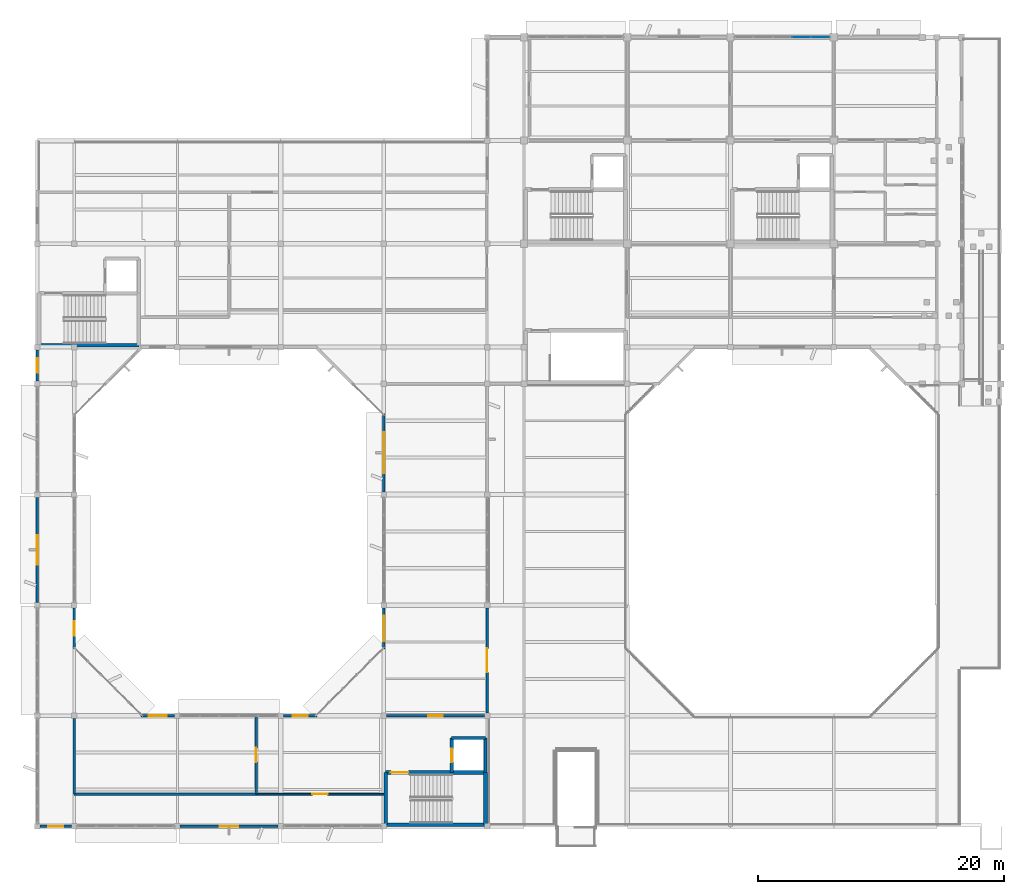
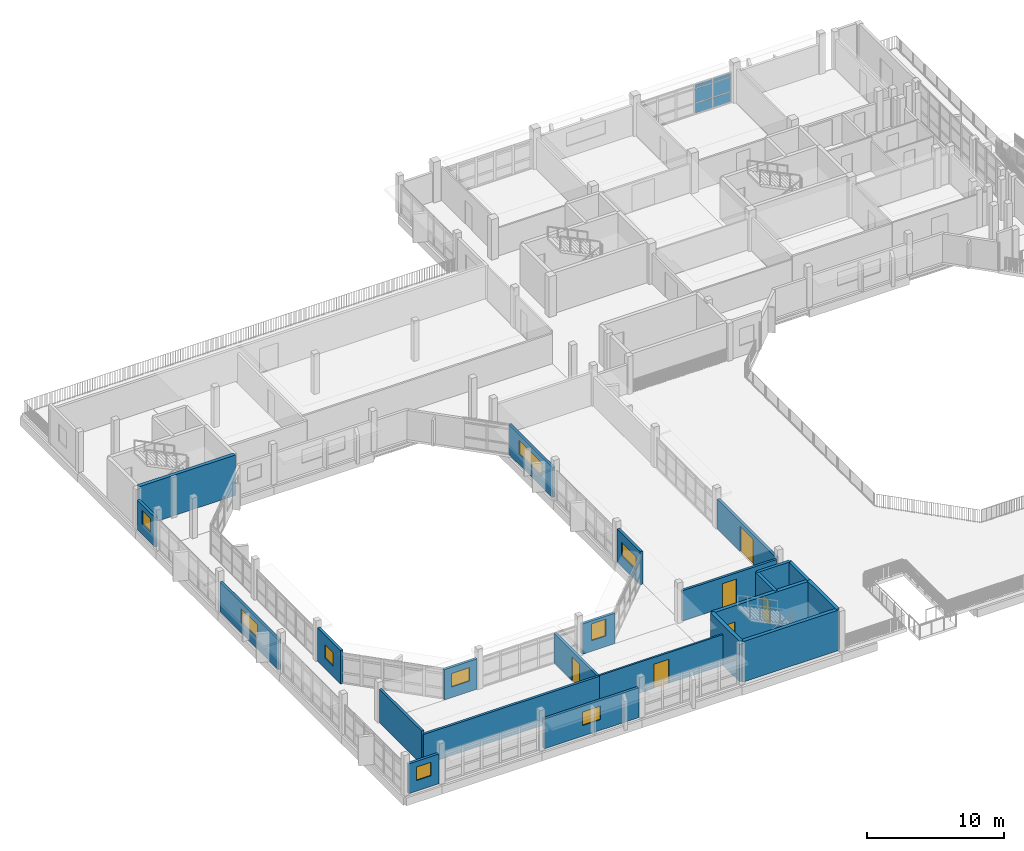
# One storey, part 21 of 42: 23 walls, 9 windows, 6 doors, 6 plates, 15 openings, 1 element without a shape of its own.
"""IFC4 building model written with IfcOpenShell, lengths in metres."""

from ifc_helpers import new_model, si_unit, direction, frame, frame_2d, origin, origin_2d, place, context, subcontext, project, spatial, rectangle, extrude, material, layer, layer_set, type_object, element, fill, aggregate, save


model = new_model("IFC4")

# Units and contexts
model_context = context("Model", 3, precision=1e-05, world=origin(), true_north=direction((0.0, 1.0)))
body_context = subcontext(model_context, "Body", "Model", "MODEL_VIEW")
ifc_project = project(units=[si_unit("LENGTHUNIT", "METRE"), si_unit("AREAUNIT", "SQUARE_METRE"), si_unit("VOLUMEUNIT", "CUBIC_METRE"), si_unit("PLANEANGLEUNIT", "RADIAN"), si_unit("MASSUNIT", "GRAM", prefix="KILO")], contexts=[model_context])

# Site, building, storey
site_placement = place(None, origin())
site = spatial("IfcSite", under=ifc_project, at=site_placement, CompositionType="ELEMENT")
building_placement = place(site_placement, origin())
building = spatial("IfcBuilding", under=site, at=building_placement, Name="Vanh Quang Courtyard School", CompositionType="ELEMENT")
storey_placement = place(building_placement, frame((0.0, 0.0, 15.0)))
storey = spatial("IfcBuildingStorey", under=building, at=storey_placement, Name="L04", CompositionType="ELEMENT", Elevation=15.0)

# Curtain wall, plates
ifc_material_1 = material(Name="Thermally broken aluminium unitised curtain wall", Category="aluminium")
curtain_wall_type = type_object("IfcCurtainWallType", Name="CW-SYS-24", PredefinedType="NOTDEFINED", material=ifc_material_1)
curtain_wall_placement = place(storey_placement, origin())
curtain_wall = element("IfcCurtainWall", 1, at=curtain_wall_placement, inside=storey, type_object=curtain_wall_type, Name="Curtain Wall CW-24 (L04)", PredefinedType="NOTDEFINED")
ifc_material_2 = material(Name="Low-E laminated double glazing", Category="glass")
ifc_layer_1 = layer(ifc_material_2, 0.031982421875)
ifc_layer_set_1 = layer_set([ifc_layer_1], Name="Low-E laminated double glazing")
plate_type = type_object("IfcPlateType", Name="CW-PNL-32", PredefinedType="CURTAIN_PANEL", material=ifc_layer_set_1)
plate_1_placement = place(storey_placement, frame((99.956787109375, 96.60009765625, 0.06005859375), z_axis=(0.0, 0.0, 1.0), x_axis=(1.0, 0.0, 0.0)))
plate_1 = element("IfcPlate", 2, at=plate_1_placement, type_object=plate_type, Name="CW-24 panel 4.1", PredefinedType="CURTAIN_PANEL", context=body_context, shape_type="SweptSolid", body=[
    extrude(rectangle(XDim=1.496826171875, YDim=0.031982421875, at=origin_2d()), origin(), (0.0, 0.0, 1.0), 0.860107421875),
])
plate_2_placement = place(storey_placement, frame((99.956787109375, 96.60009765625, 0.97998046875), z_axis=(0.0, 0.0, 1.0), x_axis=(1.0, 0.0, 0.0)))
plate_2 = element("IfcPlate", 3, at=plate_2_placement, type_object=plate_type, Name="CW-24 panel 4.2", PredefinedType="CURTAIN_PANEL", context=body_context, shape_type="SweptSolid", body=[
    extrude(rectangle(XDim=1.496826171875, YDim=0.031982421875, at=origin_2d()), origin(), (0.0, 0.0, 1.0), 1.239990234375),
])
plate_3_placement = place(storey_placement, frame((99.956787109375, 96.60009765625, 2.280029296875), z_axis=(0.0, 0.0, 1.0), x_axis=(1.0, 0.0, 0.0)))
plate_3 = element("IfcPlate", 4, at=plate_3_placement, type_object=plate_type, Name="CW-24 panel 4.3", PredefinedType="CURTAIN_PANEL", context=body_context, shape_type="SweptSolid", body=[
    extrude(rectangle(XDim=1.496826171875, YDim=0.031982421875, at=origin_2d()), origin(), (0.0, 0.0, 1.0), 0.31005859375),
])
plate_4_placement = place(storey_placement, frame((101.49853515625, 96.60009765625, 0.06005859375), z_axis=(0.0, 0.0, 1.0), x_axis=(1.0, 0.0, 0.0)))
plate_4 = element("IfcPlate", 5, at=plate_4_placement, type_object=plate_type, Name="CW-24 panel 5.1", PredefinedType="CURTAIN_PANEL", context=body_context, shape_type="SweptSolid", body=[
    extrude(rectangle(XDim=1.466796875, YDim=0.031982421875, at=origin_2d()), origin(), (0.0, 0.0, 1.0), 0.860107421875),
])
plate_5_placement = place(storey_placement, frame((101.49853515625, 96.60009765625, 0.97998046875), z_axis=(0.0, 0.0, 1.0), x_axis=(1.0, 0.0, 0.0)))
plate_5 = element("IfcPlate", 6, at=plate_5_placement, type_object=plate_type, Name="CW-24 panel 5.2", PredefinedType="CURTAIN_PANEL", context=body_context, shape_type="SweptSolid", body=[
    extrude(rectangle(XDim=1.466796875, YDim=0.031982421875, at=origin_2d()), origin(), (0.0, 0.0, 1.0), 1.239990234375),
])
plate_6_placement = place(storey_placement, frame((101.49853515625, 96.60009765625, 2.280029296875), z_axis=(0.0, 0.0, 1.0), x_axis=(1.0, 0.0, 0.0)))
plate_6 = element("IfcPlate", 7, at=plate_6_placement, type_object=plate_type, Name="CW-24 panel 5.3", PredefinedType="CURTAIN_PANEL", context=body_context, shape_type="SweptSolid", body=[
    extrude(rectangle(XDim=1.466796875, YDim=0.031982421875, at=origin_2d()), origin(), (0.0, 0.0, 1.0), 0.31005859375),
])
aggregate(curtain_wall, [plate_1, plate_2, plate_3, plate_4, plate_5, plate_6])

# Wall, opening, door
ifc_material_3 = material(Name="Concrete C30/37", Category="concrete")
ifc_layer_2 = layer(ifc_material_3, 0.199951171875)
ifc_layer_set_2 = layer_set([ifc_layer_2], Name="Concrete C30/37")
wall_type_1 = type_object("IfcWallType", Name="W-COMP-200", PredefinedType="PARTITIONING", material=ifc_layer_set_2)
wall_1_placement = place(storey_placement, frame((55.60009765625, 41.39990234375, 0.0), z_axis=(0.0, 0.0, 1.0), x_axis=(0.0, -1.0, 0.0)))
wall_1 = element("IfcWall", 8, at=wall_1_placement, inside=storey, type_object=wall_type_1, Name="Wall W-COMP1 (L04)", PredefinedType="PARTITIONING", context=body_context, shape_type="SweptSolid", body=[
    extrude(rectangle(XDim=6.3798828125, YDim=0.199951171875, at=frame_2d((3.18994140625, 0.0))), origin(), (0.0, 0.0, 1.0), 2.64990234375),
])
opening_1_placement = place(wall_1_placement, frame((2.614990234375, 0.0, 0.0)))
opening_1 = element("IfcOpeningElement", 9, at=opening_1_placement, cuts=wall_1, Name="Opening L04-D161", PredefinedType="OPENING", context=body_context, shape_type="SweptSolid", body=[
    extrude(rectangle(XDim=1.14990234375, YDim=2.14990234375, at=frame_2d((0.574951171875, 1.074951171875))), frame((0.0, 0.10986328125, 0.0), z_axis=(0.0, -1.0, 0.0), x_axis=(1.0, 0.0, 0.0)), (0.0, 0.0, 1.0), 0.219970703125),
])
ifc_material_4 = material(Name="Painted galvanised steel fire door", Category="steel")
door_type_1 = type_object("IfcDoorType", Name="IDR-LAB-1150x2150", OperationType="NOTDEFINED", PredefinedType="DOOR", material=ifc_material_4)
door_1_placement = place(opening_1_placement, origin())
door_1 = element("IfcDoor", 10, at=door_1_placement, inside=storey, type_object=door_type_1, Name="Door L04-D161 (L04)", OperationType="SINGLE_SWING_RIGHT", OverallHeight=2.14990234375, OverallWidth=1.14990234375, PredefinedType="DOOR", context=body_context, shape_type="SweptSolid", body=[
    extrude(rectangle(XDim=1.14990234375, YDim=2.14990234375, at=frame_2d((0.574951171875, 1.074951171875))), frame((0.0, 0.02490234375, 0.0), z_axis=(0.0, -1.0, 0.0), x_axis=(1.0, 0.0, 0.0)), (0.0, 0.0, 1.0), 0.050048828125),
])
fill(opening_1, door_1)

# Walls
wall_2_placement = place(storey_placement, frame((55.60009765625, 35.02001953125, 0.0), z_axis=(0.0, 0.0, 1.0), x_axis=(-1.0, 0.0, 0.0)))
element("IfcWall", 11, at=wall_2_placement, inside=storey, type_object=wall_type_1, Name="Wall W-COMP1 (L04)", PredefinedType="PARTITIONING", context=body_context, shape_type="SweptSolid", body=[
    extrude(rectangle(XDim=14.800048828125, YDim=0.199951171875, at=frame_2d((7.39990234375, 0.0))), origin(), (0.0, 0.0, 1.0), 2.699951171875),
])
wall_3_placement = place(storey_placement, frame((40.800048828125, 35.02001953125, 0.0), z_axis=(0.0, 0.0, 1.0), x_axis=(0.0, 1.0, 0.0)))
element("IfcWall", 12, at=wall_3_placement, inside=storey, type_object=wall_type_1, Name="Wall W-COMP1 (L04)", PredefinedType="PARTITIONING", context=body_context, shape_type="SweptSolid", body=[
    extrude(rectangle(XDim=6.156982421875, YDim=0.199951171875, at=frame_2d((3.07861328125, 0.0))), origin(), (0.0, 0.0, 1.0), 2.989990234375),
])

# Wall, opening, door
wall_4_placement = place(storey_placement, frame((74.1708984375, 41.39990234375, 0.0), z_axis=(0.0, 0.0, 1.0), x_axis=(-1.0, 0.0, 0.0)))
wall_4 = element("IfcWall", 13, at=wall_4_placement, inside=storey, type_object=wall_type_1, Name="Wall W-COMP1 (L04)", PredefinedType="PARTITIONING", context=body_context, shape_type="SweptSolid", body=[
    extrude(rectangle(XDim=7.947998046875, YDim=0.199951171875, at=frame_2d((3.97412109375, 0.0))), origin(), (0.0, 0.0, 1.0), 2.699951171875),
])
opening_2_placement = place(wall_4_placement, frame((3.373779296875, 0.0, 0.0)))
opening_2 = element("IfcOpeningElement", 14, at=opening_2_placement, cuts=wall_4, Name="Opening L04-D164", PredefinedType="OPENING", context=body_context, shape_type="SweptSolid", body=[
    extrude(rectangle(XDim=1.199951171875, YDim=2.14990234375, at=frame_2d((0.60009765625, 1.074951171875))), frame((0.0, 0.10986328125, 0.0), z_axis=(0.0, -1.0, 0.0), x_axis=(1.0, 0.0, 0.0)), (0.0, 0.0, 1.0), 0.219970703125),
])
door_type_2 = type_object("IfcDoorType", Name="IDR-FD-1200x2150", OperationType="NOTDEFINED", PredefinedType="DOOR", material=ifc_material_4)
door_2_placement = place(opening_2_placement, origin())
door_2 = element("IfcDoor", 15, at=door_2_placement, inside=storey, type_object=door_type_2, Name="Door L04-D164 (L04)", OperationType="SINGLE_SWING_LEFT", OverallHeight=2.14990234375, OverallWidth=1.199951171875, PredefinedType="DOOR", context=body_context, shape_type="SweptSolid", body=[
    extrude(rectangle(XDim=1.199951171875, YDim=2.14990234375, at=frame_2d((0.60009765625, 1.074951171875))), frame((0.0, 0.02490234375, 0.0), z_axis=(0.0, -1.0, 0.0), x_axis=(1.0, 0.0, 0.0)), (0.0, 0.0, 1.0), 0.050048828125),
])
fill(opening_2, door_2)

# Walls
ifc_material_5 = material(Name="Concrete C35/45", Category="concrete")
ifc_layer_3 = layer(ifc_material_5, 0.300048828125)
ifc_layer_set_3 = layer_set([ifc_layer_3], Name="Concrete C35/45")
wall_type_2 = type_object("IfcWallType", Name="W-CORE-300", PredefinedType="SHEAR", material=ifc_layer_set_3)
for number, where, z_axis, x_axis, name in (
    (16, (37.93994140625, 71.5400390625, 0.0), (0.0, 0.0, 1.0), (1.0, 0.0, 0.0), "Wall W-CORE1 (L04)"),
    (17, (66.139892578125, 32.5400390625, 0.0), (0.0, 0.0, 1.0), (1.0, 0.0, 0.0), "Wall W-CORE1 (L04)"),
):
    element("IfcWall", number, at=place(storey_placement, frame(where, z_axis=z_axis, x_axis=x_axis)), inside=storey, type_object=wall_type_2, Name=name, PredefinedType="SHEAR", context=body_context, shape_type="SweptSolid", body=[
        extrude(rectangle(XDim=8.1201171875, YDim=0.300048828125, at=frame_2d((4.06005859375, 0.0))), origin(), (0.0, 0.0, 1.0), 3.60009765625),
    ])
wall_5_placement = place(storey_placement, frame((74.260009765625, 32.5400390625, 0.0), z_axis=(0.0, 0.0, 1.0), x_axis=(0.0, 1.0, 0.0)))
element("IfcWall", 18, at=wall_5_placement, inside=storey, type_object=wall_type_2, Name="Wall W-CORE1 (L04)", PredefinedType="SHEAR", context=body_context, shape_type="SweptSolid", body=[
    extrude(rectangle(XDim=4.239990234375, YDim=0.300048828125, at=frame_2d((2.1201171875, 0.0))), origin(), (0.0, 0.0, 1.0), 3.60009765625),
])

# Wall, opening, door
wall_6_placement = place(storey_placement, frame((74.260009765625, 36.780029296875, 0.0), z_axis=(0.0, 0.0, 1.0), x_axis=(-1.0, 0.0, 0.0)))
wall_6 = element("IfcWall", 19, at=wall_6_placement, inside=storey, type_object=wall_type_2, Name="Wall W-CORE1 (L04)", PredefinedType="SHEAR", context=body_context, shape_type="SweptSolid", body=[
    extrude(rectangle(XDim=8.1201171875, YDim=0.300048828125, at=frame_2d((4.06005859375, 0.0))), origin(), (0.0, 0.0, 1.0), 3.60009765625),
])
opening_3_placement = place(wall_6_placement, frame((6.27001953125, 0.0, 0.0)))
opening_3 = element("IfcOpeningElement", 20, at=opening_3_placement, cuts=wall_6, Name="Opening L04-DS4", PredefinedType="OPENING", context=body_context, shape_type="SweptSolid", body=[
    extrude(rectangle(XDim=1.419921875, YDim=2.14990234375, at=frame_2d((0.7099609375, 1.074951171875))), frame((0.0, 0.16015625, 0.0), z_axis=(0.0, -1.0, 0.0), x_axis=(1.0, 0.0, 0.0)), (0.0, 0.0, 1.0), 0.320068359375),
])
door_type_3 = type_object("IfcDoorType", Name="IDR-ST-1420x2150", OperationType="NOTDEFINED", PredefinedType="DOOR", material=ifc_material_4)
door_3_placement = place(opening_3_placement, frame((1.419921875, 0.0, 0.0), z_axis=(0.0, 0.0, 1.0), x_axis=(-1.0, 0.0, 0.0)))
door_3 = element("IfcDoor", 21, at=door_3_placement, inside=storey, type_object=door_type_3, Name="Door L04-DS4 (L04)", OperationType="SINGLE_SWING_RIGHT", OverallHeight=2.14990234375, OverallWidth=1.419921875, PredefinedType="DOOR", context=body_context, shape_type="SweptSolid", body=[
    extrude(rectangle(XDim=1.419921875, YDim=2.14990234375, at=frame_2d((0.7099609375, 1.074951171875))), frame((0.0, 0.02490234375, 0.0), z_axis=(0.0, -1.0, 0.0), x_axis=(1.0, 0.0, 0.0)), (0.0, 0.0, 1.0), 0.050048828125),
])
fill(opening_3, door_3)

# Wall
wall_7_placement = place(storey_placement, frame((66.139892578125, 36.780029296875, 0.0), z_axis=(0.0, 0.0, 1.0), x_axis=(0.0, -1.0, 0.0)))
element("IfcWall", 22, at=wall_7_placement, inside=storey, type_object=wall_type_2, Name="Wall W-CORE1 (L04)", PredefinedType="SHEAR", context=body_context, shape_type="SweptSolid", body=[
    extrude(rectangle(XDim=4.239990234375, YDim=0.300048828125, at=frame_2d((2.1201171875, 0.0))), origin(), (0.0, 0.0, 1.0), 3.60009765625),
])

# Wall, opening, window
ifc_layer_4 = layer(ifc_material_3, 0.219970703125)
ifc_layer_set_4 = layer_set([ifc_layer_4], Name="Concrete C30/37")
wall_type_3 = type_object("IfcWallType", Name="W-EXT-220", PredefinedType="SOLIDWALL", material=ifc_layer_set_4)
wall_8_placement = place(storey_placement, frame((37.800048828125, 50.623046875, 0.0), z_axis=(0.0, 0.0, 1.0), x_axis=(0.0, 1.0, 0.0)))
wall_8 = element("IfcWall", 23, at=wall_8_placement, inside=storey, type_object=wall_type_3, Name="Wall WE-04 (L04)", PredefinedType="SOLIDWALL", context=body_context, shape_type="SweptSolid", body=[
    extrude(rectangle(XDim=8.553955078125, YDim=0.219970703125, at=frame_2d((4.27685546875, 0.0))), origin(), (0.0, 0.0, 1.0), 2.64990234375),
])
opening_4_placement = place(wall_8_placement, frame((3.076904296875, 0.0, 0.949951171875)))
opening_4 = element("IfcOpeningElement", 24, at=opening_4_placement, cuts=wall_8, Name="Opening WN-05", PredefinedType="OPENING", context=body_context, shape_type="SweptSolid", body=[
    extrude(rectangle(XDim=2.39990234375, YDim=1.199951171875, at=frame_2d((1.199951171875, 0.60009765625))), frame((0.0, 0.1201171875, 0.0), z_axis=(0.0, -1.0, 0.0), x_axis=(1.0, 0.0, 0.0)), (0.0, 0.0, 1.0), 0.239990234375),
])
ifc_material_6 = material(Name="Anodised aluminium and low-E double glazing", Category="aluminium")
window_type_1 = type_object("IfcWindowType", Name="WIN-TYP-05", PartitioningType="SINGLE_PANEL", PredefinedType="WINDOW", material=ifc_material_6)
window_1_placement = place(opening_4_placement, origin())
window_1 = element("IfcWindow", 25, at=window_1_placement, inside=storey, type_object=window_type_1, Name="Window WN-05 (L04)", OverallHeight=1.199951171875, OverallWidth=2.39990234375, PartitioningType="SINGLE_PANEL", PredefinedType="WINDOW", context=body_context, shape_type="SweptSolid", body=[
    extrude(rectangle(XDim=2.39990234375, YDim=1.199951171875, at=frame_2d((1.199951171875, 0.60009765625))), frame((0.0, 0.030029296875, 0.0), z_axis=(0.0, -1.0, 0.0), x_axis=(1.0, 0.0, 0.0)), (0.0, 0.0, 1.0), 0.06005859375),
])
fill(opening_4, window_1)

wall_9_placement = place(storey_placement, frame((37.800048828125, 68.623046875, 0.0), z_axis=(0.0, 0.0, 1.0), x_axis=(0.0, 1.0, 0.0)))
wall_9 = element("IfcWall", 26, at=wall_9_placement, inside=storey, type_object=wall_type_3, Name="Wall WE-04 (L04)", PredefinedType="SOLIDWALL", context=body_context, shape_type="SweptSolid", body=[
    extrude(rectangle(XDim=2.553955078125, YDim=0.219970703125, at=frame_2d((1.27685546875, 0.0))), origin(), (0.0, 0.0, 1.0), 2.64990234375),
])
opening_5_placement = place(wall_9_placement, frame((0.677001953125, 0.0, 0.949951171875)))
opening_5 = element("IfcOpeningElement", 27, at=opening_5_placement, cuts=wall_9, Name="Opening WN-01", PredefinedType="OPENING", context=body_context, shape_type="SweptSolid", body=[
    extrude(rectangle(XDim=1.199951171875, YDim=1.199951171875, at=frame_2d((0.60009765625, 0.60009765625))), frame((0.0, 0.1201171875, 0.0), z_axis=(0.0, -1.0, 0.0), x_axis=(1.0, 0.0, 0.0)), (0.0, 0.0, 1.0), 0.239990234375),
])
window_type_2 = type_object("IfcWindowType", Name="WIN-TYP-01", PartitioningType="SINGLE_PANEL", PredefinedType="WINDOW", material=ifc_material_6)
window_2_placement = place(opening_5_placement, origin())
window_2 = element("IfcWindow", 28, at=window_2_placement, inside=storey, type_object=window_type_2, Name="Window WN-01 (L04)", OverallHeight=1.199951171875, OverallWidth=1.199951171875, PartitioningType="SINGLE_PANEL", PredefinedType="WINDOW", context=body_context, shape_type="SweptSolid", body=[
    extrude(rectangle(XDim=1.199951171875, YDim=1.199951171875, at=frame_2d((0.60009765625, 0.60009765625))), frame((0.0, 0.030029296875, 0.0), z_axis=(0.0, -1.0, 0.0), x_axis=(1.0, 0.0, 0.0)), (0.0, 0.0, 1.0), 0.06005859375),
])
fill(opening_5, window_2)

# Wall, opening, door
wall_10_placement = place(storey_placement, frame((74.39990234375, 50.177001953125, 0.0), z_axis=(0.0, 0.0, 1.0), x_axis=(0.0, -1.0, 0.0)))
wall_10 = element("IfcWall", 29, at=wall_10_placement, inside=storey, type_object=wall_type_3, Name="Wall WE-04 (L04)", PredefinedType="SOLIDWALL", context=body_context, shape_type="SweptSolid", body=[
    extrude(rectangle(XDim=8.553955078125, YDim=0.219970703125, at=frame_2d((4.27685546875, 0.0))), origin(), (0.0, 0.0, 1.0), 2.64990234375),
])
opening_6_placement = place(wall_10_placement, frame((3.302001953125, 0.0, 0.0)))
opening_6 = element("IfcOpeningElement", 30, at=opening_6_placement, cuts=wall_10, Name="Opening L04-PD058", PredefinedType="OPENING", context=body_context, shape_type="SweptSolid", body=[
    extrude(rectangle(XDim=1.949951171875, YDim=2.25, at=frame_2d((0.97509765625, 1.125))), frame((0.0, 0.1201171875, 0.0), z_axis=(0.0, -1.0, 0.0), x_axis=(1.0, 0.0, 0.0)), (0.0, 0.0, 1.0), 0.239990234375),
])
ifc_material_7 = material(Name="Thermally broken aluminium and laminated safety glass", Category="aluminium")
door_type_4 = type_object("IfcDoorType", Name="EDR-TYP-09", OperationType="NOTDEFINED", PredefinedType="DOOR", material=ifc_material_7)
door_4_placement = place(opening_6_placement, origin())
door_4 = element("IfcDoor", 31, at=door_4_placement, inside=storey, type_object=door_type_4, Name="Door L04-PD058 (L04)", OperationType="SINGLE_SWING_LEFT", OverallHeight=2.25, OverallWidth=1.949951171875, PredefinedType="DOOR", context=body_context, shape_type="SweptSolid", body=[
    extrude(rectangle(XDim=1.949951171875, YDim=2.25, at=frame_2d((0.97509765625, 1.125))), frame((0.0, 0.02490234375, 0.0), z_axis=(0.0, -1.0, 0.0), x_axis=(1.0, 0.0, 0.0)), (0.0, 0.0, 1.0), 0.050048828125),
])
fill(opening_6, door_4)

# Wall, opening, window
wall_11_placement = place(storey_placement, frame((57.376953125, 32.39990234375, 0.0), z_axis=(0.0, 0.0, 1.0), x_axis=(-1.0, 0.0, 0.0)))
wall_11 = element("IfcWall", 32, at=wall_11_placement, inside=storey, type_object=wall_type_3, Name="Wall WE-04 (L04)", PredefinedType="SOLIDWALL", context=body_context, shape_type="SweptSolid", body=[
    extrude(rectangle(XDim=7.953857421875, YDim=0.219970703125, at=frame_2d((3.97705078125, 0.0))), origin(), (0.0, 0.0, 1.0), 2.64990234375),
])
opening_7_placement = place(wall_11_placement, frame((3.22705078125, 0.0, 0.949951171875)))
opening_7 = element("IfcOpeningElement", 33, at=opening_7_placement, cuts=wall_11, Name="Opening WN-02", PredefinedType="OPENING", context=body_context, shape_type="SweptSolid", body=[
    extrude(rectangle(XDim=1.5, YDim=1.199951171875, at=frame_2d((0.75, 0.60009765625))), frame((0.0, 0.1201171875, 0.0), z_axis=(0.0, -1.0, 0.0), x_axis=(1.0, 0.0, 0.0)), (0.0, 0.0, 1.0), 0.239990234375),
])
window_type_3 = type_object("IfcWindowType", Name="WIN-TYP-02", PartitioningType="SINGLE_PANEL", PredefinedType="WINDOW", material=ifc_material_6)
window_3_placement = place(opening_7_placement, origin())
window_3 = element("IfcWindow", 34, at=window_3_placement, inside=storey, type_object=window_type_3, Name="Window WN-02 (L04)", OverallHeight=1.199951171875, OverallWidth=1.5, PartitioningType="SINGLE_PANEL", PredefinedType="WINDOW", context=body_context, shape_type="SweptSolid", body=[
    extrude(rectangle(XDim=1.5, YDim=1.199951171875, at=frame_2d((0.75, 0.60009765625))), frame((0.0, 0.030029296875, 0.0), z_axis=(0.0, -1.0, 0.0), x_axis=(1.0, 0.0, 0.0)), (0.0, 0.0, 1.0), 0.06005859375),
])
fill(opening_7, window_3)

wall_12_placement = place(storey_placement, frame((40.576904296875, 32.39990234375, 0.0), z_axis=(0.0, 0.0, 1.0), x_axis=(-1.0, 0.0, 0.0)))
wall_12 = element("IfcWall", 35, at=wall_12_placement, inside=storey, type_object=wall_type_3, Name="Wall WE-04 (L04)", PredefinedType="SOLIDWALL", context=body_context, shape_type="SweptSolid", body=[
    extrude(rectangle(XDim=2.553955078125, YDim=0.219970703125, at=frame_2d((1.27685546875, 0.0))), origin(), (0.0, 0.0, 1.0), 2.64990234375),
])
opening_8_placement = place(wall_12_placement, frame((0.677001953125, 0.0, 0.949951171875)))
opening_8 = element("IfcOpeningElement", 36, at=opening_8_placement, cuts=wall_12, Name="Opening WN-01", PredefinedType="OPENING", context=body_context, shape_type="SweptSolid", body=[
    extrude(rectangle(XDim=1.199951171875, YDim=1.199951171875, at=frame_2d((0.60009765625, 0.60009765625))), frame((0.0, 0.1201171875, 0.0), z_axis=(0.0, -1.0, 0.0), x_axis=(1.0, 0.0, 0.0)), (0.0, 0.0, 1.0), 0.239990234375),
])
window_4_placement = place(opening_8_placement, origin())
window_4 = element("IfcWindow", 37, at=window_4_placement, inside=storey, type_object=window_type_2, Name="Window WN-01 (L04)", OverallHeight=1.199951171875, OverallWidth=1.199951171875, PartitioningType="SINGLE_PANEL", PredefinedType="WINDOW", context=body_context, shape_type="SweptSolid", body=[
    extrude(rectangle(XDim=1.199951171875, YDim=1.199951171875, at=frame_2d((0.60009765625, 0.60009765625))), frame((0.0, 0.030029296875, 0.0), z_axis=(0.0, -1.0, 0.0), x_axis=(1.0, 0.0, 0.0)), (0.0, 0.0, 1.0), 0.06005859375),
])
fill(opening_8, window_4)

wall_13_placement = place(storey_placement, frame((40.800048828125, 50.177001953125, 0.0), z_axis=(0.0, 0.0, 1.0), x_axis=(0.0, -1.0, 0.0)))
wall_13 = element("IfcWall", 38, at=wall_13_placement, inside=storey, type_object=wall_type_3, Name="Wall WE-04 (L04)", PredefinedType="SOLIDWALL", context=body_context, shape_type="SweptSolid", body=[
    extrude(rectangle(XDim=3.35302734375, YDim=0.219970703125, at=frame_2d((1.676513671875, 0.0))), origin(), (0.0, 0.0, 1.0), 2.989990234375),
])
opening_9_placement = place(wall_13_placement, frame((1.076416015625, 0.0, 0.949951171875)))
opening_9 = element("IfcOpeningElement", 39, at=opening_9_placement, cuts=wall_13, Name="Opening WN-01", PredefinedType="OPENING", context=body_context, shape_type="SweptSolid", body=[
    extrude(rectangle(XDim=1.199951171875, YDim=1.199951171875, at=frame_2d((0.60009765625, 0.60009765625))), frame((0.0, 0.1201171875, 0.0), z_axis=(0.0, -1.0, 0.0), x_axis=(1.0, 0.0, 0.0)), (0.0, 0.0, 1.0), 0.239990234375),
])
window_5_placement = place(opening_9_placement, origin())
window_5 = element("IfcWindow", 40, at=window_5_placement, inside=storey, type_object=window_type_2, Name="Window WN-01 (L04)", OverallHeight=1.199951171875, OverallWidth=1.199951171875, PartitioningType="SINGLE_PANEL", PredefinedType="WINDOW", context=body_context, shape_type="SweptSolid", body=[
    extrude(rectangle(XDim=1.199951171875, YDim=1.199951171875, at=frame_2d((0.60009765625, 0.60009765625))), frame((0.0, 0.030029296875, 0.0), z_axis=(0.0, -1.0, 0.0), x_axis=(1.0, 0.0, 0.0)), (0.0, 0.0, 1.0), 0.06005859375),
])
fill(opening_9, window_5)

wall_14_placement = place(storey_placement, frame((46.22412109375, 41.39990234375, 0.0), z_axis=(0.0, 0.0, 1.0), x_axis=(1.0, 0.0, 0.0)))
wall_14 = element("IfcWall", 41, at=wall_14_placement, inside=storey, type_object=wall_type_3, Name="Wall WE-04 (L04)", PredefinedType="SOLIDWALL", context=body_context, shape_type="SweptSolid", body=[
    extrude(rectangle(XDim=2.7529296875, YDim=0.219970703125, at=frame_2d((1.37646484375, 0.0))), origin(), (0.0, 0.0, 1.0), 2.699951171875),
])
opening_10_placement = place(wall_14_placement, frame((0.62646484375, 0.0, 0.949951171875)))
opening_10 = element("IfcOpeningElement", 42, at=opening_10_placement, cuts=wall_14, Name="Opening WN-02", PredefinedType="OPENING", context=body_context, shape_type="SweptSolid", body=[
    extrude(rectangle(XDim=1.5, YDim=1.199951171875, at=frame_2d((0.75, 0.60009765625))), frame((0.0, 0.1201171875, 0.0), z_axis=(0.0, -1.0, 0.0), x_axis=(1.0, 0.0, 0.0)), (0.0, 0.0, 1.0), 0.239990234375),
])
window_6_placement = place(opening_10_placement, origin())
window_6 = element("IfcWindow", 43, at=window_6_placement, inside=storey, type_object=window_type_3, Name="Window WN-02 (L04)", OverallHeight=1.199951171875, OverallWidth=1.5, PartitioningType="SINGLE_PANEL", PredefinedType="WINDOW", context=body_context, shape_type="SweptSolid", body=[
    extrude(rectangle(XDim=1.5, YDim=1.199951171875, at=frame_2d((0.75, 0.60009765625))), frame((0.0, 0.030029296875, 0.0), z_axis=(0.0, -1.0, 0.0), x_axis=(1.0, 0.0, 0.0)), (0.0, 0.0, 1.0), 0.06005859375),
])
fill(opening_10, window_6)

wall_15_placement = place(storey_placement, frame((57.822998046875, 41.39990234375, 0.0), z_axis=(0.0, 0.0, 1.0), x_axis=(1.0, 0.0, 0.0)))
wall_15 = element("IfcWall", 44, at=wall_15_placement, inside=storey, type_object=wall_type_3, Name="Wall WE-04 (L04)", PredefinedType="SOLIDWALL", context=body_context, shape_type="SweptSolid", body=[
    extrude(rectangle(XDim=2.7529296875, YDim=0.219970703125, at=frame_2d((1.37646484375, 0.0))), origin(), (0.0, 0.0, 1.0), 2.699951171875),
])
opening_11_placement = place(wall_15_placement, frame((0.776611328125, 0.0, 0.949951171875)))
opening_11 = element("IfcOpeningElement", 45, at=opening_11_placement, cuts=wall_15, Name="Opening WN-10", PredefinedType="OPENING", context=body_context, shape_type="SweptSolid", body=[
    extrude(rectangle(XDim=1.199951171875, YDim=1.5, at=frame_2d((0.60009765625, 0.75))), frame((0.0, 0.1201171875, 0.0), z_axis=(0.0, -1.0, 0.0), x_axis=(1.0, 0.0, 0.0)), (0.0, 0.0, 1.0), 0.239990234375),
])
window_type_4 = type_object("IfcWindowType", Name="WIN-TYP-10", PartitioningType="SINGLE_PANEL", PredefinedType="WINDOW", material=ifc_material_6)
window_7_placement = place(opening_11_placement, origin())
window_7 = element("IfcWindow", 46, at=window_7_placement, inside=storey, type_object=window_type_4, Name="Window WN-10 (L04)", OverallHeight=1.5, OverallWidth=1.199951171875, PartitioningType="SINGLE_PANEL", PredefinedType="WINDOW", context=body_context, shape_type="SweptSolid", body=[
    extrude(rectangle(XDim=1.199951171875, YDim=1.5, at=frame_2d((0.60009765625, 0.75))), frame((0.0, 0.030029296875, 0.0), z_axis=(0.0, -1.0, 0.0), x_axis=(1.0, 0.0, 0.0)), (0.0, 0.0, 1.0), 0.06005859375),
])
fill(opening_11, window_7)

wall_16_placement = place(storey_placement, frame((66.0, 46.823974609375, 0.0), z_axis=(0.0, 0.0, 1.0), x_axis=(0.0, 1.0, 0.0)))
wall_16 = element("IfcWall", 47, at=wall_16_placement, inside=storey, type_object=wall_type_3, Name="Wall WE-04 (L04)", PredefinedType="SOLIDWALL", context=body_context, shape_type="SweptSolid", body=[
    extrude(rectangle(XDim=3.35302734375, YDim=0.219970703125, at=frame_2d((1.676513671875, 0.0))), origin(), (0.0, 0.0, 1.0), 2.949951171875),
])
opening_12_placement = place(wall_16_placement, frame((0.62646484375, 0.0, 0.949951171875)))
opening_12 = element("IfcOpeningElement", 48, at=opening_12_placement, cuts=wall_16, Name="Opening WN-04", PredefinedType="OPENING", context=body_context, shape_type="SweptSolid", body=[
    extrude(rectangle(XDim=2.10009765625, YDim=1.199951171875, at=frame_2d((1.050048828125, 0.60009765625))), frame((0.0, 0.1201171875, 0.0), z_axis=(0.0, -1.0, 0.0), x_axis=(1.0, 0.0, 0.0)), (0.0, 0.0, 1.0), 0.239990234375),
])
window_type_5 = type_object("IfcWindowType", Name="WIN-TYP-04", PartitioningType="SINGLE_PANEL", PredefinedType="WINDOW", material=ifc_material_6)
window_8_placement = place(opening_12_placement, origin())
window_8 = element("IfcWindow", 49, at=window_8_placement, inside=storey, type_object=window_type_5, Name="Window WN-04 (L04)", OverallHeight=1.199951171875, OverallWidth=2.10009765625, PartitioningType="SINGLE_PANEL", PredefinedType="WINDOW", context=body_context, shape_type="SweptSolid", body=[
    extrude(rectangle(XDim=2.10009765625, YDim=1.199951171875, at=frame_2d((1.050048828125, 0.60009765625))), frame((0.0, 0.030029296875, 0.0), z_axis=(0.0, -1.0, 0.0), x_axis=(1.0, 0.0, 0.0)), (0.0, 0.0, 1.0), 0.06005859375),
])
fill(opening_12, window_8)

wall_17_placement = place(storey_placement, frame((66.0, 59.623046875, 0.0), z_axis=(0.0, 0.0, 1.0), x_axis=(0.0, 1.0, 0.0)))
wall_17 = element("IfcWall", 50, at=wall_17_placement, inside=storey, type_object=wall_type_3, Name="Wall WE-04 (L04)", PredefinedType="SOLIDWALL", context=body_context, shape_type="SweptSolid", body=[
    extrude(rectangle(XDim=6.35302734375, YDim=0.219970703125, at=frame_2d((3.176513671875, 0.0))), origin(), (0.0, 0.0, 1.0), 2.64990234375),
])
opening_13_placement = place(wall_17_placement, frame((1.526611328125, 0.0, 0.949951171875)))
opening_13 = element("IfcOpeningElement", 51, at=opening_13_placement, cuts=wall_17, Name="Opening WN-08", PredefinedType="OPENING", context=body_context, shape_type="SweptSolid", body=[
    extrude(rectangle(XDim=3.300048828125, YDim=1.199951171875, at=frame_2d((1.64990234375, 0.60009765625))), frame((0.0, 0.1201171875, 0.0), z_axis=(0.0, -1.0, 0.0), x_axis=(1.0, 0.0, 0.0)), (0.0, 0.0, 1.0), 0.239990234375),
])
window_type_6 = type_object("IfcWindowType", Name="WIN-TYP-08", PartitioningType="SINGLE_PANEL", PredefinedType="WINDOW", material=ifc_material_6)
window_9_placement = place(opening_13_placement, origin())
window_9 = element("IfcWindow", 52, at=window_9_placement, inside=storey, type_object=window_type_6, Name="Window WN-08 (L04)", OverallHeight=1.199951171875, OverallWidth=3.300048828125, PartitioningType="SINGLE_PANEL", PredefinedType="WINDOW", context=body_context, shape_type="SweptSolid", body=[
    extrude(rectangle(XDim=3.300048828125, YDim=1.199951171875, at=frame_2d((1.64990234375, 0.60009765625))), frame((0.0, 0.030029296875, 0.0), z_axis=(0.0, -1.0, 0.0), x_axis=(1.0, 0.0, 0.0)), (0.0, 0.0, 1.0), 0.06005859375),
])
fill(opening_13, window_9)

# Wall, opening, door
ifc_material_8 = material(Name="Autoclaved aerated masonry blockwork", Category="masonry")
ifc_layer_5 = layer(ifc_material_8, 0.14990234375)
ifc_layer_set_5 = layer_set([ifc_layer_5], Name="Autoclaved aerated masonry blockwork")
wall_type_4 = type_object("IfcWallType", Name="W-PART-150", PredefinedType="PARTITIONING", material=ifc_layer_set_5)
wall_18_placement = place(storey_placement, frame((66.0, 35.02001953125, 0.0), z_axis=(0.0, 0.0, 1.0), x_axis=(-1.0, 0.0, 0.0)))
wall_18 = element("IfcWall", 53, at=wall_18_placement, inside=storey, type_object=wall_type_4, Name="Wall W-PRT1 (L04)", PredefinedType="PARTITIONING", context=body_context, shape_type="SweptSolid", body=[
    extrude(rectangle(XDim=10.3798828125, YDim=0.14990234375, at=frame_2d((5.18994140625, 0.0))), origin(), (0.0, 0.0, 1.0), 2.75),
])
opening_14_placement = place(wall_18_placement, frame((4.56494140625, 0.0, 0.0)))
opening_14 = element("IfcOpeningElement", 54, at=opening_14_placement, cuts=wall_18, Name="Opening L04-D162", PredefinedType="OPENING", context=body_context, shape_type="SweptSolid", body=[
    extrude(rectangle(XDim=1.25, YDim=2.14990234375, at=frame_2d((0.625, 1.074951171875))), frame((0.0, 0.0849609375, 0.0), z_axis=(0.0, -1.0, 0.0), x_axis=(1.0, 0.0, 0.0)), (0.0, 0.0, 1.0), 0.169921875),
])
door_type_5 = type_object("IfcDoorType", Name="IDR-LAB-1250x2150", OperationType="NOTDEFINED", PredefinedType="DOOR", material=ifc_material_4)
door_5_placement = place(opening_14_placement, origin())
door_5 = element("IfcDoor", 55, at=door_5_placement, inside=storey, type_object=door_type_5, Name="Door L04-D162 (L04)", OperationType="SINGLE_SWING_LEFT", OverallHeight=2.14990234375, OverallWidth=1.25, PredefinedType="DOOR", context=body_context, shape_type="SweptSolid", body=[
    extrude(rectangle(XDim=1.25, YDim=2.14990234375, at=frame_2d((0.625, 1.074951171875))), frame((0.0, 0.02490234375, 0.0), z_axis=(0.0, -1.0, 0.0), x_axis=(1.0, 0.0, 0.0)), (0.0, 0.0, 1.0), 0.050048828125),
])
fill(opening_14, door_5)

ifc_layer_6 = layer(ifc_material_5, 0.25)
ifc_layer_set_6 = layer_set([ifc_layer_6], Name="Concrete C35/45")
wall_type_5 = type_object("IfcWallType", Name="W-SHFT-250", PredefinedType="SHEAR", material=ifc_layer_set_6)
wall_19_placement = place(storey_placement, frame((71.52001953125, 39.580078125, 0.0), z_axis=(0.0, 0.0, 1.0), x_axis=(0.0, -1.0, 0.0)))
wall_19 = element("IfcWall", 56, at=wall_19_placement, inside=storey, type_object=wall_type_5, Name="Wall W-SHFT1 (L04)", PredefinedType="SHEAR", context=body_context, shape_type="SweptSolid", body=[
    extrude(rectangle(XDim=2.800048828125, YDim=0.25, at=frame_2d((1.39990234375, 0.0))), origin(), (0.0, 0.0, 1.0), 3.60009765625),
])
opening_15_placement = place(wall_19_placement, frame((0.85009765625, 0.0, 0.0)))
opening_15 = element("IfcOpeningElement", 57, at=opening_15_placement, cuts=wall_19, Name="Opening LD-04-L04", PredefinedType="OPENING", context=body_context, shape_type="SweptSolid", body=[
    extrude(rectangle(XDim=1.10009765625, YDim=2.14990234375, at=frame_2d((0.550048828125, 1.074951171875))), frame((0.0, 0.135009765625, 0.0), z_axis=(0.0, -1.0, 0.0), x_axis=(1.0, 0.0, 0.0)), (0.0, 0.0, 1.0), 0.27001953125),
])
door_type_6 = type_object("IfcDoorType", Name="IDR-LD-1100x2150", OperationType="NOTDEFINED", PredefinedType="DOOR", material=ifc_material_4)
door_6_placement = place(opening_15_placement, origin())
door_6 = element("IfcDoor", 58, at=door_6_placement, inside=storey, type_object=door_type_6, Name="Door LD-04-L04 (L04)", OperationType="DOUBLE_DOOR_SLIDING", OverallHeight=2.14990234375, OverallWidth=1.10009765625, PredefinedType="DOOR", context=body_context, shape_type="SweptSolid", body=[
    extrude(rectangle(XDim=1.10009765625, YDim=2.14990234375, at=frame_2d((0.550048828125, 1.074951171875))), frame((0.0, 0.02490234375, 0.0), z_axis=(0.0, -1.0, 0.0), x_axis=(1.0, 0.0, 0.0)), (0.0, 0.0, 1.0), 0.050048828125),
])
fill(opening_15, door_6)

# Walls
wall_20_placement = place(storey_placement, frame((74.260009765625, 39.580078125, 0.0), z_axis=(0.0, 0.0, 1.0), x_axis=(-1.0, 0.0, 0.0)))
element("IfcWall", 59, at=wall_20_placement, inside=storey, type_object=wall_type_5, Name="Wall W-SHFT1 (L04)", PredefinedType="SHEAR", context=body_context, shape_type="SweptSolid", body=[
    extrude(rectangle(XDim=2.739990234375, YDim=0.25, at=frame_2d((1.3701171875, 0.0))), origin(), (0.0, 0.0, 1.0), 3.60009765625),
])
wall_21_placement = place(storey_placement, frame((74.260009765625, 36.780029296875, 0.0), z_axis=(0.0, 0.0, 1.0), x_axis=(0.0, 1.0, 0.0)))
element("IfcWall", 60, at=wall_21_placement, inside=storey, type_object=wall_type_5, Name="Wall W-SHFT1 (L04)", PredefinedType="SHEAR", context=body_context, shape_type="SweptSolid", body=[
    extrude(rectangle(XDim=2.800048828125, YDim=0.25, at=frame_2d((1.39990234375, 0.0))), origin(), (0.0, 0.0, 1.0), 3.60009765625),
])

save(model, "model.ifc")
